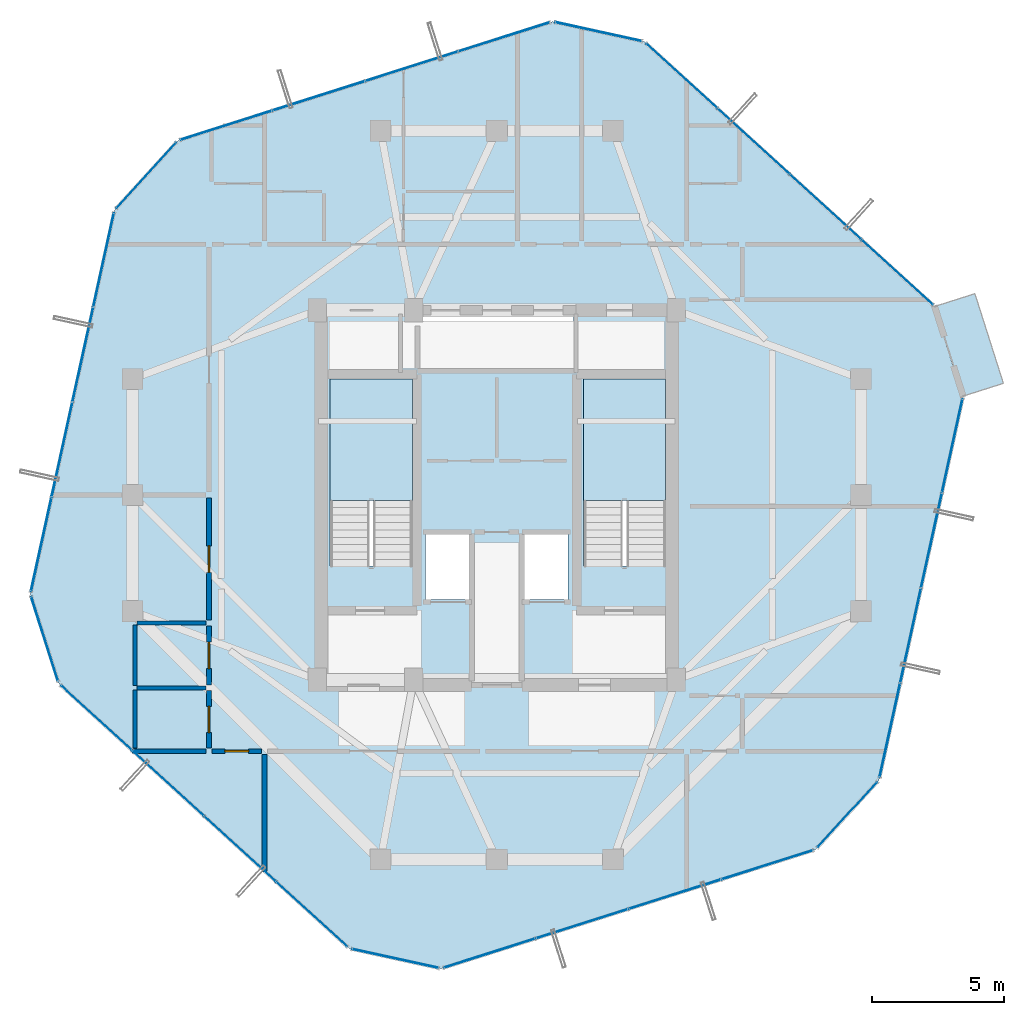
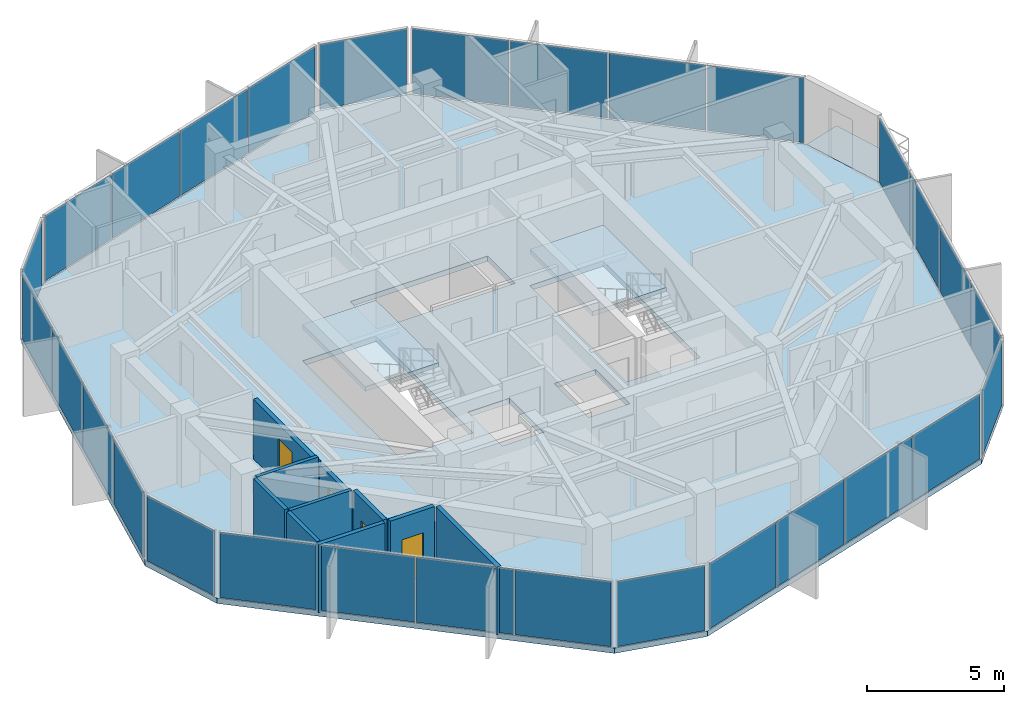
# One storey, part 23 of 28: 29 plates, 10 walls, 4 doors, 4 slabs, 4 openings, 13 elements without a shape of their own.
"""IFC4 building model written with IfcOpenShell, lengths in metres."""

from ifc_helpers import new_model, si_unit, direction, frame, frame_2d, origin, origin_2d, place, context, subcontext, project, spatial, polyline, rectangle, outline, extrude, source, transform, mapped, material, layer, layer_set, type_object, element, fill, aggregate, save


model = new_model("IFC4")

# Units and contexts
model_context = context("Model", 3, precision=1e-05, world=origin(), true_north=direction((0.0, 1.0)))
body_context = subcontext(model_context, "Body", "Model", "MODEL_VIEW")
ifc_project = project(units=[si_unit("LENGTHUNIT", "METRE"), si_unit("AREAUNIT", "SQUARE_METRE"), si_unit("VOLUMEUNIT", "CUBIC_METRE"), si_unit("PLANEANGLEUNIT", "RADIAN"), si_unit("MASSUNIT", "GRAM", prefix="KILO")], contexts=[model_context])

# Site, building, storey
site_placement = place(None, origin())
site = spatial("IfcSite", under=ifc_project, at=site_placement, CompositionType="ELEMENT")
building_placement = place(site_placement, origin())
building = spatial("IfcBuilding", under=site, at=building_placement, Name="Veraguas Prism Commons", CompositionType="ELEMENT")
storey_placement = place(building_placement, frame((0.0, 0.0, 251.25)))
storey = spatial("IfcBuildingStorey", under=building, at=storey_placement, Name="L71", CompositionType="ELEMENT", Elevation=251.25)

# Stair, slab
ifc_material_1 = material(Name="Precast concrete C45/55", Category="concrete")
stair_type = type_object("IfcStairType", Name="Dogleg Core Stair 1480W 20R 05", PredefinedType="HALF_TURN_STAIR", material=ifc_material_1)
stair_1_placement = place(storey_placement, origin())
stair_1 = element("IfcStair", 1, at=stair_1_placement, inside=storey, type_object=stair_type, Name="Protected Exit Stair ST-01 L71", PredefinedType="HALF_TURN_STAIR")
ifc_layer_1 = layer(ifc_material_1, 0.199951171875, Name="Precast Stair and Ramp Landing Slab 200", Category="concrete")
ifc_layer_set_1 = layer_set([ifc_layer_1], Name="Precast concrete C45/55")
slab_type_1 = type_object("IfcSlabType", Name="Precast Stair and Ramp Landing Slab 200", PredefinedType="LANDING", material=ifc_layer_set_1)
slab_1_placement = place(storey_placement, frame((0.0, 0.0, 1.425048828125)))
slab_1 = element("IfcSlab", 2, at=slab_1_placement, type_object=slab_type_1, Name="ST-05 Landing 1", PredefinedType="LANDING", context=body_context, shape_type="SweptSolid", body=[
    extrude(outline(polyline([(20.800048828125, 23.800048828125), (20.800048828125, 28.39990234375), (17.68994140625, 28.39990234375), (17.68994140625, 23.800048828125), (20.800048828125, 23.800048828125)])), origin(), (0.0, 0.0, 1.0), 0.199951171875),
])
aggregate(stair_1, [slab_1])

stair_2_placement = place(storey_placement, origin())
stair_2 = element("IfcStair", 3, at=stair_2_placement, inside=storey, type_object=stair_type, Name="Protected Exit Stair ST-02 L71", PredefinedType="HALF_TURN_STAIR")
slab_2_placement = place(storey_placement, frame((0.0, 0.0, 1.425048828125)))
slab_2 = element("IfcSlab", 4, at=slab_2_placement, type_object=slab_type_1, Name="ST-05 Landing 1", PredefinedType="LANDING", context=body_context, shape_type="SweptSolid", body=[
    extrude(outline(polyline([(30.39990234375, 23.800048828125), (30.39990234375, 28.39990234375), (27.2900390625, 28.39990234375), (27.2900390625, 23.800048828125), (30.39990234375, 23.800048828125)])), origin(), (0.0, 0.0, 1.0), 0.199951171875),
])
aggregate(stair_2, [slab_2])

# Slabs
ifc_material_2 = material(Name="Concrete C45/55", Category="concrete")
ifc_layer_2 = layer(ifc_material_2, 0.219970703125, Name="Recessed Loggia and Terrace Slab RC 220", Category="concrete")
ifc_layer_set_2 = layer_set([ifc_layer_2], Name="Concrete C45/55")
slab_type_2 = type_object("IfcSlabType", Name="Recessed Loggia and Terrace Slab RC 220", PredefinedType="FLOOR", material=ifc_layer_set_2)
slab_3_placement = place(storey_placement, frame((0.0, 0.0, -0.219970703125)))
element("IfcSlab", 5, at=slab_3_placement, inside=storey, type_object=slab_type_2, Name="Recessed Corner Loggia L71-C1", PredefinedType="FLOOR", context=body_context, shape_type="SweptSolid", body=[
    extrude(outline(polyline([(41.647216796875, 27.742431640625), (43.191162109375, 28.2333984375), (42.111572265625, 31.62841796875), (40.567626953125, 31.137451171875), (41.647216796875, 27.742431640625)])), origin(), (0.0, 0.0, 1.0), 0.219970703125),
])
ifc_layer_3 = layer(ifc_material_2, 0.235107421875, Name="Tower Upper Residential Floor Slab RC 235", Category="concrete")
ifc_layer_set_3 = layer_set([ifc_layer_3], Name="Concrete C45/55")
slab_type_3 = type_object("IfcSlabType", Name="Tower Upper Residential Floor Slab RC 235", PredefinedType="FLOOR", material=ifc_layer_set_3)
slab_4_placement = place(storey_placement, frame((0.0, 0.0, -0.235107421875)))
element("IfcSlab", 6, at=slab_4_placement, inside=storey, type_object=slab_type_3, Name="Tower Floor Slab L71", PredefinedType="FLOOR", context=body_context, shape_type="SweptSolid", body=[
    extrude(outline(polyline([(41.666259765625, 27.74853515625), (40.5869140625, 31.1435546875), (29.5869140625, 41.173828125), (26.10693359375, 41.936279296875), (11.92041015625, 37.42529296875), (9.52001953125, 34.792724609375), (6.333740234375, 20.25146484375), (7.4130859375, 16.8564453125), (18.4130859375, 6.826171875), (21.89306640625, 6.063720703125), (36.07958984375, 10.57470703125), (38.47998046875, 13.207275390625), (41.666259765625, 27.74853515625)]), holes=[polyline([(20.800048828125, 21.31005859375), (20.800048828125, 28.39990234375), (17.68994140625, 28.39990234375), (17.68994140625, 21.31005859375), (20.800048828125, 21.31005859375)]), polyline([(30.39990234375, 21.31005859375), (30.39990234375, 28.39990234375), (27.2900390625, 28.39990234375), (27.2900390625, 21.31005859375), (30.39990234375, 21.31005859375)]), polyline([(21.10009765625, 28.800048828125), (26.89990234375, 28.800048828125), (26.89990234375, 30.800048828125), (21.10009765625, 30.800048828125), (21.10009765625, 28.800048828125)]), polyline([(21.300048828125, 20.050048828125), (23.050048828125, 20.050048828125), (23.050048828125, 22.550048828125), (21.300048828125, 22.550048828125), (21.300048828125, 20.050048828125)]), polyline([(24.949951171875, 20.050048828125), (26.699951171875, 20.050048828125), (26.699951171875, 22.550048828125), (24.949951171875, 22.550048828125), (24.949951171875, 20.050048828125)])]), origin(), (0.0, 0.0, 1.0), 0.235107421875),
])

# Curtain wall, plates
ifc_material_3 = material(Name="Anodised aluminium EN AW-6063 T6", Category="aluminium")
ifc_layer_4 = layer(ifc_material_3, 0.14990234375, Name="Unitised Flush Curtain Wall Zone 4", Category="aluminium")
ifc_layer_set_4 = layer_set([ifc_layer_4], Name="Anodised aluminium EN AW-6063 T6")
curtain_wall_type = type_object("IfcCurtainWallType", Name="Unitised Flush Curtain Wall Zone 4", PredefinedType="NOTDEFINED", material=ifc_layer_set_4)
curtain_wall_1_placement = place(storey_placement, origin())
curtain_wall_1 = element("IfcCurtainWall", 7, at=curtain_wall_1_placement, inside=storey, type_object=curtain_wall_type, Name="Tower Facade Curtain Wall L71-F1", PredefinedType="NOTDEFINED")
ifc_material_4 = material(Name="Laminated low-e glass", Category="glass")
ifc_layer_5 = layer(ifc_material_4, 0.028076171875, Name="Unitised Double Low-E Glazed Panel 28", Category="glass")
ifc_layer_set_5 = layer_set([ifc_layer_5], Name="Laminated low-e glass")
plate_type = type_object("IfcPlateType", Name="Unitised Double Low-E Glazed Panel 28", PredefinedType="CURTAIN_PANEL", material=ifc_layer_set_5)
shared_shape_1 = source(origin(), body_context, "Body", "SweptSolid", [
    extrude(rectangle(XDim=3.6015625, YDim=0.028076171875, at=origin_2d()), origin(), (0.0, 0.0, 1.0), 2.905029296875),
])
plate_1_placement = place(storey_placement, frame((39.16748046875, 32.437744140625, 0.05517578125), z_axis=(0.0, 0.0, 1.0), x_axis=(-0.738925912503, 0.673786684219, 0.0)))
plate_1 = element("IfcPlate", 8, at=plate_1_placement, type_object=plate_type, Name="CW-Z4 Panel 1.1", PredefinedType="CURTAIN_PANEL", context=body_context, shape_type="MappedRepresentation", body=[
    mapped(shared_shape_1, transform((0.0, 0.0, 0.0), scale=1.0)),
])
plate_2_placement = place(storey_placement, frame((31.006103515625, 39.879638671875, 0.05517578125), z_axis=(0.0, 0.0, 1.0), x_axis=(-0.738925912503, 0.673786684219, 0.0)))
plate_2 = element("IfcPlate", 9, at=plate_2_placement, type_object=plate_type, Name="CW-Z4 Panel 4.1", PredefinedType="CURTAIN_PANEL", context=body_context, shape_type="MappedRepresentation", body=[
    mapped(shared_shape_1, transform((0.0, 0.0, 0.0), scale=1.0)),
])

curtain_wall_2_placement = place(storey_placement, origin())
curtain_wall_2 = element("IfcCurtainWall", 10, at=curtain_wall_2_placement, inside=storey, type_object=curtain_wall_type, Name="Tower Facade Curtain Wall L71-F2", PredefinedType="NOTDEFINED")
plate_3_placement = place(storey_placement, frame((24.2763671875, 41.354248046875, 0.05517578125), z_axis=(0.0, 0.0, 1.0), x_axis=(-0.952979870412, -0.30303360637, 0.0)))
plate_3 = element("IfcPlate", 11, at=plate_3_placement, type_object=plate_type, Name="CW-Z4 Panel 1.1", PredefinedType="CURTAIN_PANEL", context=body_context, shape_type="MappedRepresentation", body=[
    mapped(shared_shape_1, transform((0.0, 0.0, 0.0), scale=1.0)),
])
plate_4_placement = place(storey_placement, frame((13.7509765625, 38.00732421875, 0.05517578125), z_axis=(0.0, 0.0, 1.0), x_axis=(-0.952979870412, -0.30303360637, 0.0)))
plate_4 = element("IfcPlate", 12, at=plate_4_placement, type_object=plate_type, Name="CW-Z4 Panel 4.1", PredefinedType="CURTAIN_PANEL", context=body_context, shape_type="MappedRepresentation", body=[
    mapped(shared_shape_1, transform((0.0, 0.0, 0.0), scale=1.0)),
])

curtain_wall_3_placement = place(storey_placement, origin())
curtain_wall_3 = element("IfcCurtainWall", 13, at=curtain_wall_3_placement, inside=storey, type_object=curtain_wall_type, Name="Tower Facade Curtain Wall L71-F3", PredefinedType="NOTDEFINED")
plate_5_placement = place(storey_placement, frame((9.10888671875, 32.91650390625, 0.05517578125), z_axis=(0.0, 0.0, 1.0), x_axis=(-0.214053429014, -0.976821953852, 0.0)))
plate_5 = element("IfcPlate", 14, at=plate_5_placement, type_object=plate_type, Name="CW-Z4 Panel 1.1", PredefinedType="CURTAIN_PANEL", context=body_context, shape_type="MappedRepresentation", body=[
    mapped(shared_shape_1, transform((0.0, 0.0, 0.0), scale=1.0)),
])
plate_6_placement = place(storey_placement, frame((6.744873046875, 22.127685546875, 0.05517578125), z_axis=(0.0, 0.0, 1.0), x_axis=(-0.214053429014, -0.976821953852, 0.0)))
plate_6 = element("IfcPlate", 15, at=plate_6_placement, type_object=plate_type, Name="CW-Z4 Panel 4.1", PredefinedType="CURTAIN_PANEL", context=body_context, shape_type="MappedRepresentation", body=[
    mapped(shared_shape_1, transform((0.0, 0.0, 0.0), scale=1.0)),
])

curtain_wall_4_placement = place(storey_placement, origin())
curtain_wall_4 = element("IfcCurtainWall", 16, at=curtain_wall_4_placement, inside=storey, type_object=curtain_wall_type, Name="Tower Facade Curtain Wall L71-F4", PredefinedType="NOTDEFINED")
plate_7_placement = place(storey_placement, frame((8.83251953125, 15.562255859375, 0.05517578125), z_axis=(0.0, 0.0, 1.0), x_axis=(0.738925912503, -0.673786684219, 0.0)))
plate_7 = element("IfcPlate", 17, at=plate_7_placement, type_object=plate_type, Name="CW-Z4 Panel 1.1", PredefinedType="CURTAIN_PANEL", context=body_context, shape_type="MappedRepresentation", body=[
    mapped(shared_shape_1, transform((0.0, 0.0, 0.0), scale=1.0)),
])
plate_8_placement = place(storey_placement, frame((16.993896484375, 8.120361328125, 0.05517578125), z_axis=(0.0, 0.0, 1.0), x_axis=(0.738925912503, -0.673786684219, 0.0)))
plate_8 = element("IfcPlate", 18, at=plate_8_placement, type_object=plate_type, Name="CW-Z4 Panel 4.1", PredefinedType="CURTAIN_PANEL", context=body_context, shape_type="MappedRepresentation", body=[
    mapped(shared_shape_1, transform((0.0, 0.0, 0.0), scale=1.0)),
])

curtain_wall_5_placement = place(storey_placement, origin())
curtain_wall_5 = element("IfcCurtainWall", 19, at=curtain_wall_5_placement, inside=storey, type_object=curtain_wall_type, Name="Tower Facade Curtain Wall L71-F5", PredefinedType="NOTDEFINED")
plate_9_placement = place(storey_placement, frame((23.7236328125, 6.645751953125, 0.05517578125), z_axis=(0.0, 0.0, 1.0), x_axis=(0.952979870412, 0.30303360637, 0.0)))
plate_9 = element("IfcPlate", 20, at=plate_9_placement, type_object=plate_type, Name="CW-Z4 Panel 1.1", PredefinedType="CURTAIN_PANEL", context=body_context, shape_type="MappedRepresentation", body=[
    mapped(shared_shape_1, transform((0.0, 0.0, 0.0), scale=1.0)),
])
plate_10_placement = place(storey_placement, frame((34.2490234375, 9.99267578125, 0.05517578125), z_axis=(0.0, 0.0, 1.0), x_axis=(0.952979870412, 0.30303360637, 0.0)))
plate_10 = element("IfcPlate", 21, at=plate_10_placement, type_object=plate_type, Name="CW-Z4 Panel 4.1", PredefinedType="CURTAIN_PANEL", context=body_context, shape_type="MappedRepresentation", body=[
    mapped(shared_shape_1, transform((0.0, 0.0, 0.0), scale=1.0)),
])

curtain_wall_6_placement = place(storey_placement, origin())
curtain_wall_6 = element("IfcCurtainWall", 22, at=curtain_wall_6_placement, inside=storey, type_object=curtain_wall_type, Name="Tower Facade Curtain Wall L71-F6", PredefinedType="NOTDEFINED")
plate_11_placement = place(storey_placement, frame((38.89111328125, 15.08349609375, 0.05517578125), z_axis=(0.0, 0.0, 1.0), x_axis=(0.214053429014, 0.976821953852, 0.0)))
plate_11 = element("IfcPlate", 23, at=plate_11_placement, type_object=plate_type, Name="CW-Z4 Panel 1.1", PredefinedType="CURTAIN_PANEL", context=body_context, shape_type="MappedRepresentation", body=[
    mapped(shared_shape_1, transform((0.0, 0.0, 0.0), scale=1.0)),
])
plate_12_placement = place(storey_placement, frame((41.255126953125, 25.872314453125, 0.05517578125), z_axis=(0.0, 0.0, 1.0), x_axis=(0.214053429014, 0.976821953852, 0.0)))
plate_12 = element("IfcPlate", 24, at=plate_12_placement, type_object=plate_type, Name="CW-Z4 Panel 4.1", PredefinedType="CURTAIN_PANEL", context=body_context, shape_type="MappedRepresentation", body=[
    mapped(shared_shape_1, transform((0.0, 0.0, 0.0), scale=1.0)),
])

# Plate
shared_shape_2 = source(origin(), body_context, "Body", "SweptSolid", [
    extrude(rectangle(XDim=3.631591796875, YDim=0.028076171875, at=origin_2d()), origin(), (0.0, 0.0, 1.0), 2.905029296875),
])
plate_13_placement = place(storey_placement, frame((36.45068359375, 34.9150390625, 0.05517578125), z_axis=(0.0, 0.0, 1.0), x_axis=(-0.738925912503, 0.673786684219, 0.0)))
plate_13 = element("IfcPlate", 25, at=plate_13_placement, type_object=plate_type, Name="CW-Z4 Panel 2.1", PredefinedType="CURTAIN_PANEL", context=body_context, shape_type="MappedRepresentation", body=[
    mapped(shared_shape_2, transform((0.0, 0.0, 0.0), scale=1.0)),
])

plate_14_placement = place(storey_placement, frame((33.722900390625, 37.40234375, 0.05517578125), z_axis=(0.0, 0.0, 1.0), x_axis=(-0.738925912503, 0.673786684219, 0.0)))
plate_14 = element("IfcPlate", 26, at=plate_14_placement, type_object=plate_type, Name="CW-Z4 Panel 3.1", PredefinedType="CURTAIN_PANEL", context=body_context, shape_type="MappedRepresentation", body=[
    mapped(shared_shape_2, transform((0.0, 0.0, 0.0), scale=1.0)),
])

aggregate(curtain_wall_1, [plate_1, plate_13, plate_14, plate_2])

plate_15_placement = place(storey_placement, frame((20.772705078125, 40.239990234375, 0.05517578125), z_axis=(0.0, 0.0, 1.0), x_axis=(-0.952979870412, -0.30303360637, 0.0)))
plate_15 = element("IfcPlate", 27, at=plate_15_placement, type_object=plate_type, Name="CW-Z4 Panel 2.1", PredefinedType="CURTAIN_PANEL", context=body_context, shape_type="MappedRepresentation", body=[
    mapped(shared_shape_2, transform((0.0, 0.0, 0.0), scale=1.0)),
])

plate_16_placement = place(storey_placement, frame((17.254638671875, 39.121337890625, 0.05517578125), z_axis=(0.0, 0.0, 1.0), x_axis=(-0.952979870412, -0.30303360637, 0.0)))
plate_16 = element("IfcPlate", 28, at=plate_16_placement, type_object=plate_type, Name="CW-Z4 Panel 3.1", PredefinedType="CURTAIN_PANEL", context=body_context, shape_type="MappedRepresentation", body=[
    mapped(shared_shape_2, transform((0.0, 0.0, 0.0), scale=1.0)),
])

aggregate(curtain_wall_2, [plate_3, plate_15, plate_16, plate_4])

plate_17_placement = place(storey_placement, frame((8.322021484375, 29.3251953125, 0.05517578125), z_axis=(0.0, 0.0, 1.0), x_axis=(-0.214053429014, -0.976821953852, 0.0)))
plate_17 = element("IfcPlate", 29, at=plate_17_placement, type_object=plate_type, Name="CW-Z4 Panel 2.1", PredefinedType="CURTAIN_PANEL", context=body_context, shape_type="MappedRepresentation", body=[
    mapped(shared_shape_2, transform((0.0, 0.0, 0.0), scale=1.0)),
])

plate_18_placement = place(storey_placement, frame((7.53173828125, 25.71923828125, 0.05517578125), z_axis=(0.0, 0.0, 1.0), x_axis=(-0.214053429014, -0.976821953852, 0.0)))
plate_18 = element("IfcPlate", 30, at=plate_18_placement, type_object=plate_type, Name="CW-Z4 Panel 3.1", PredefinedType="CURTAIN_PANEL", context=body_context, shape_type="MappedRepresentation", body=[
    mapped(shared_shape_2, transform((0.0, 0.0, 0.0), scale=1.0)),
])

aggregate(curtain_wall_3, [plate_5, plate_17, plate_18, plate_6])

plate_19_placement = place(storey_placement, frame((11.54931640625, 13.0849609375, 0.05517578125), z_axis=(0.0, 0.0, 1.0), x_axis=(0.738925912503, -0.673786684219, 0.0)))
plate_19 = element("IfcPlate", 31, at=plate_19_placement, type_object=plate_type, Name="CW-Z4 Panel 2.1", PredefinedType="CURTAIN_PANEL", context=body_context, shape_type="MappedRepresentation", body=[
    mapped(shared_shape_2, transform((0.0, 0.0, 0.0), scale=1.0)),
])

plate_20_placement = place(storey_placement, frame((14.277099609375, 10.59765625, 0.05517578125), z_axis=(0.0, 0.0, 1.0), x_axis=(0.738925912503, -0.673786684219, 0.0)))
plate_20 = element("IfcPlate", 32, at=plate_20_placement, type_object=plate_type, Name="CW-Z4 Panel 3.1", PredefinedType="CURTAIN_PANEL", context=body_context, shape_type="MappedRepresentation", body=[
    mapped(shared_shape_2, transform((0.0, 0.0, 0.0), scale=1.0)),
])

aggregate(curtain_wall_4, [plate_7, plate_19, plate_20, plate_8])

plate_21_placement = place(storey_placement, frame((27.227294921875, 7.760009765625, 0.05517578125), z_axis=(0.0, 0.0, 1.0), x_axis=(0.952979870412, 0.30303360637, 0.0)))
plate_21 = element("IfcPlate", 33, at=plate_21_placement, type_object=plate_type, Name="CW-Z4 Panel 2.1", PredefinedType="CURTAIN_PANEL", context=body_context, shape_type="MappedRepresentation", body=[
    mapped(shared_shape_2, transform((0.0, 0.0, 0.0), scale=1.0)),
])

plate_22_placement = place(storey_placement, frame((30.745361328125, 8.878662109375, 0.05517578125), z_axis=(0.0, 0.0, 1.0), x_axis=(0.952979870412, 0.30303360637, 0.0)))
plate_22 = element("IfcPlate", 34, at=plate_22_placement, type_object=plate_type, Name="CW-Z4 Panel 3.1", PredefinedType="CURTAIN_PANEL", context=body_context, shape_type="MappedRepresentation", body=[
    mapped(shared_shape_2, transform((0.0, 0.0, 0.0), scale=1.0)),
])

aggregate(curtain_wall_5, [plate_9, plate_21, plate_22, plate_10])

plate_23_placement = place(storey_placement, frame((39.677978515625, 18.6748046875, 0.05517578125), z_axis=(0.0, 0.0, 1.0), x_axis=(0.214053429014, 0.976821953852, 0.0)))
plate_23 = element("IfcPlate", 35, at=plate_23_placement, type_object=plate_type, Name="CW-Z4 Panel 2.1", PredefinedType="CURTAIN_PANEL", context=body_context, shape_type="MappedRepresentation", body=[
    mapped(shared_shape_2, transform((0.0, 0.0, 0.0), scale=1.0)),
])

plate_24_placement = place(storey_placement, frame((40.46826171875, 22.28076171875, 0.05517578125), z_axis=(0.0, 0.0, 1.0), x_axis=(0.214053429014, 0.976821953852, 0.0)))
plate_24 = element("IfcPlate", 36, at=plate_24_placement, type_object=plate_type, Name="CW-Z4 Panel 3.1", PredefinedType="CURTAIN_PANEL", context=body_context, shape_type="MappedRepresentation", body=[
    mapped(shared_shape_2, transform((0.0, 0.0, 0.0), scale=1.0)),
])

aggregate(curtain_wall_6, [plate_11, plate_23, plate_24, plate_12])

# Curtain wall, plate
curtain_wall_7_placement = place(storey_placement, origin())
curtain_wall_7 = element("IfcCurtainWall", 37, at=curtain_wall_7_placement, inside=storey, type_object=curtain_wall_type, Name="Chamfer Curtain Wall L71-C2", PredefinedType="NOTDEFINED")
shared_shape_3 = source(origin(), body_context, "Body", "SweptSolid", [
    extrude(rectangle(XDim=3.322509765625, YDim=0.028076171875, at=origin_2d()), origin(), (0.0, 0.0, 1.0), 2.905029296875),
])
plate_25_placement = place(storey_placement, frame((27.846923828125, 41.554931640625, 0.05517578125), z_axis=(0.0, 0.0, 1.0), x_axis=(-0.976820459453, 0.214060248512, 0.0)))
plate_25 = element("IfcPlate", 38, at=plate_25_placement, type_object=plate_type, Name="CW-Z4 Panel 1.1", PredefinedType="CURTAIN_PANEL", context=body_context, shape_type="MappedRepresentation", body=[
    mapped(shared_shape_3, transform((0.0, 0.0, 0.0), scale=1.0)),
])
aggregate(curtain_wall_7, [plate_25])

curtain_wall_8_placement = place(storey_placement, origin())
curtain_wall_8 = element("IfcCurtainWall", 39, at=curtain_wall_8_placement, inside=storey, type_object=curtain_wall_type, Name="Chamfer Curtain Wall L71-C3", PredefinedType="NOTDEFINED")
plate_26_placement = place(storey_placement, frame((10.72021484375, 36.10888671875, 0.05517578125), z_axis=(0.0, 0.0, 1.0), x_axis=(-0.673794422196, -0.738918856585, 0.0)))
plate_26 = element("IfcPlate", 40, at=plate_26_placement, type_object=plate_type, Name="CW-Z4 Panel 1.1", PredefinedType="CURTAIN_PANEL", context=body_context, shape_type="MappedRepresentation", body=[
    mapped(shared_shape_3, transform((0.0, 0.0, 0.0), scale=1.0)),
])
aggregate(curtain_wall_8, [plate_26])

curtain_wall_9_placement = place(storey_placement, origin())
curtain_wall_9 = element("IfcCurtainWall", 41, at=curtain_wall_9_placement, inside=storey, type_object=curtain_wall_type, Name="Chamfer Curtain Wall L71-C4", PredefinedType="NOTDEFINED")
plate_27_placement = place(storey_placement, frame((6.87353515625, 18.553955078125, 0.05517578125), z_axis=(0.0, 0.0, 1.0), x_axis=(0.303011983864, -0.952986745781, 0.0)))
plate_27 = element("IfcPlate", 42, at=plate_27_placement, type_object=plate_type, Name="CW-Z4 Panel 1.1", PredefinedType="CURTAIN_PANEL", context=body_context, shape_type="MappedRepresentation", body=[
    mapped(shared_shape_3, transform((0.0, 0.0, 0.0), scale=1.0)),
])
aggregate(curtain_wall_9, [plate_27])

curtain_wall_10_placement = place(storey_placement, origin())
curtain_wall_10 = element("IfcCurtainWall", 43, at=curtain_wall_10_placement, inside=storey, type_object=curtain_wall_type, Name="Chamfer Curtain Wall L71-C5", PredefinedType="NOTDEFINED")
plate_28_placement = place(storey_placement, frame((20.153076171875, 6.445068359375, 0.05517578125), z_axis=(0.0, 0.0, 1.0), x_axis=(0.976820459453, -0.214060248512, 0.0)))
plate_28 = element("IfcPlate", 44, at=plate_28_placement, type_object=plate_type, Name="CW-Z4 Panel 1.1", PredefinedType="CURTAIN_PANEL", context=body_context, shape_type="MappedRepresentation", body=[
    mapped(shared_shape_3, transform((0.0, 0.0, 0.0), scale=1.0)),
])
aggregate(curtain_wall_10, [plate_28])

curtain_wall_11_placement = place(storey_placement, origin())
curtain_wall_11 = element("IfcCurtainWall", 45, at=curtain_wall_11_placement, inside=storey, type_object=curtain_wall_type, Name="Chamfer Curtain Wall L71-C6", PredefinedType="NOTDEFINED")
plate_29_placement = place(storey_placement, frame((37.27978515625, 11.89111328125, 0.05517578125), z_axis=(0.0, 0.0, 1.0), x_axis=(0.673794422196, 0.738918856585, 0.0)))
plate_29 = element("IfcPlate", 46, at=plate_29_placement, type_object=plate_type, Name="CW-Z4 Panel 1.1", PredefinedType="CURTAIN_PANEL", context=body_context, shape_type="MappedRepresentation", body=[
    mapped(shared_shape_3, transform((0.0, 0.0, 0.0), scale=1.0)),
])
aggregate(curtain_wall_11, [plate_29])

# Walls
ifc_material_5 = material(Name="Autoclaved aerated masonry block 10 MPa", Category="masonry")
ifc_layer_6 = layer(ifc_material_5, 0.179931640625, Name="Corridor and Inter-Tenancy Partition 180", Category="masonry")
ifc_layer_set_6 = layer_set([ifc_layer_6], Name="Autoclaved aerated masonry block 10 MPa")
wall_type_1 = type_object("IfcWallType", Name="Corridor and Inter-Tenancy Partition 180", PredefinedType="PARTITIONING", material=ifc_layer_set_6)
wall_1_placement = place(storey_placement, frame((15.199951171875, 14.179931640625, 0.0), z_axis=(0.0, 0.0, 1.0), x_axis=(0.0, -1.0, 0.0)))
element("IfcWall", 47, at=wall_1_placement, inside=storey, type_object=wall_type_1, Name="WL-L71-PT001", PredefinedType="PARTITIONING", context=body_context, shape_type="SweptSolid", body=[
    extrude(rectangle(XDim=4.46435546875, YDim=0.179931640625, at=frame_2d((2.232177734375, 0.0))), origin(), (0.0, 0.0, 1.0), 3.014892578125),
])
wall_2_placement = place(storey_placement, frame((12.97998046875, 14.300048828125, 0.0), z_axis=(0.0, 0.0, 1.0), x_axis=(-1.0, 0.0, 0.0)))
element("IfcWall", 48, at=wall_2_placement, inside=storey, type_object=wall_type_1, Name="WL-L71-PT017", PredefinedType="PARTITIONING", context=body_context, shape_type="SweptSolid", body=[
    extrude(rectangle(XDim=2.8076171875, YDim=0.179931640625, at=frame_2d((1.40380859375, 0.0))), origin(), (0.0, 0.0, 1.0), 3.014892578125),
])

# Wall, opening, door
wall_3_placement = place(storey_placement, frame((13.10009765625, 14.409912109375, 0.0), z_axis=(0.0, 0.0, 1.0), x_axis=(0.0, 1.0, 0.0)))
wall_3 = element("IfcWall", 49, at=wall_3_placement, inside=storey, type_object=wall_type_1, Name="WL-L71-PT019", PredefinedType="PARTITIONING", context=body_context, shape_type="SweptSolid", body=[
    extrude(rectangle(XDim=2.18017578125, YDim=0.179931640625, at=frame_2d((1.090087890625, 0.0))), origin(), (0.0, 0.0, 1.0), 3.014892578125),
])
opening_1_placement = place(wall_3_placement, frame((0.590087890625, 0.0, 0.0)))
opening_1 = element("IfcOpeningElement", 50, at=opening_1_placement, cuts=wall_3, Name="Opening DR-13", PredefinedType="OPENING", context=body_context, shape_type="SweptSolid", body=[
    extrude(rectangle(XDim=1.0, YDim=2.010009765625, at=frame_2d((0.5, 1.0048828125))), frame((0.0, 0.099853515625, 0.0), z_axis=(0.0, -1.0, 0.0), x_axis=(1.0, 0.0, 0.0)), (0.0, 0.0, 1.0), 0.199951171875),
])
ifc_material_6 = material(Name="Steel fire-rated door assembly", Category="steel")
door_type_1 = type_object("IfcDoorType", Name="Core Accessible WC and Clinic Fire Door 1000x2010", OperationType="NOTDEFINED", PredefinedType="DOOR", material=ifc_material_6)
shared_shape_4 = source(origin(), body_context, "Body", "SweptSolid", [
    extrude(rectangle(XDim=1.0, YDim=2.010009765625, at=frame_2d((0.5, 1.0048828125))), frame((0.0, 0.02490234375, 0.0), z_axis=(0.0, -1.0, 0.0), x_axis=(1.0, 0.0, 0.0)), (0.0, 0.0, 1.0), 0.050048828125),
])
door_1_placement = place(opening_1_placement, origin())
door_1 = element("IfcDoor", 51, at=door_1_placement, inside=storey, type_object=door_type_1, Name="Public WC L71 Door", OperationType="SINGLE_SWING_LEFT", OverallHeight=2.010009765625, OverallWidth=1.0, PredefinedType="DOOR", context=body_context, shape_type="MappedRepresentation", body=[
    mapped(shared_shape_4, transform((0.0, 0.0, 0.0), scale=1.0)),
])
fill(opening_1, door_1)

wall_4_placement = place(storey_placement, frame((13.10009765625, 16.81005859375, 0.0), z_axis=(0.0, 0.0, 1.0), x_axis=(0.0, 1.0, 0.0)))
wall_4 = element("IfcWall", 52, at=wall_4_placement, inside=storey, type_object=wall_type_1, Name="WL-L71-PT020", PredefinedType="PARTITIONING", context=body_context, shape_type="SweptSolid", body=[
    extrude(rectangle(XDim=2.22998046875, YDim=0.179931640625, at=frame_2d((1.114990234375, 0.0))), origin(), (0.0, 0.0, 1.0), 2.662109375),
])
opening_2_placement = place(wall_4_placement, frame((0.614990234375, 0.0, 0.0)))
opening_2 = element("IfcOpeningElement", 53, at=opening_2_placement, cuts=wall_4, Name="Opening DR-13", PredefinedType="OPENING", context=body_context, shape_type="SweptSolid", body=[
    extrude(rectangle(XDim=1.0, YDim=2.010009765625, at=frame_2d((0.5, 1.0048828125))), frame((0.0, 0.099853515625, 0.0), z_axis=(0.0, -1.0, 0.0), x_axis=(1.0, 0.0, 0.0)), (0.0, 0.0, 1.0), 0.199951171875),
])
door_2_placement = place(opening_2_placement, origin())
door_2 = element("IfcDoor", 54, at=door_2_placement, inside=storey, type_object=door_type_1, Name="Accessible WC L71 Door", OperationType="SINGLE_SWING_RIGHT", OverallHeight=2.010009765625, OverallWidth=1.0, PredefinedType="DOOR", context=body_context, shape_type="MappedRepresentation", body=[
    mapped(shared_shape_4, transform((0.0, 0.0, 0.0), scale=1.0)),
])
fill(opening_2, door_2)

wall_5_placement = place(storey_placement, frame((13.10009765625, 19.260009765625, 0.0), z_axis=(0.0, 0.0, 1.0), x_axis=(0.0, 1.0, 0.0)))
wall_5 = element("IfcWall", 55, at=wall_5_placement, inside=storey, type_object=wall_type_1, Name="WL-L71-PT021", PredefinedType="PARTITIONING", context=body_context, shape_type="SweptSolid", body=[
    extrude(rectangle(XDim=4.6298828125, YDim=0.179931640625, at=frame_2d((2.31494140625, 0.0))), origin(), (0.0, 0.0, 1.0), 2.662109375),
])
opening_3_placement = place(wall_5_placement, frame((1.81494140625, 0.0, 0.0)))
opening_3 = element("IfcOpeningElement", 56, at=opening_3_placement, cuts=wall_5, Name="Opening DR-13", PredefinedType="OPENING", context=body_context, shape_type="SweptSolid", body=[
    extrude(rectangle(XDim=1.0, YDim=2.010009765625, at=frame_2d((0.5, 1.0048828125))), frame((0.0, 0.099853515625, 0.0), z_axis=(0.0, -1.0, 0.0), x_axis=(1.0, 0.0, 0.0)), (0.0, 0.0, 1.0), 0.199951171875),
])
door_3_placement = place(opening_3_placement, origin())
door_3 = element("IfcDoor", 57, at=door_3_placement, inside=storey, type_object=door_type_1, Name="Quiet Study L71 Door", OperationType="SINGLE_SWING_LEFT", OverallHeight=2.010009765625, OverallWidth=1.0, PredefinedType="DOOR", context=body_context, shape_type="MappedRepresentation", body=[
    mapped(shared_shape_4, transform((0.0, 0.0, 0.0), scale=1.0)),
])
fill(opening_3, door_3)

wall_6_placement = place(storey_placement, frame((13.219970703125, 14.300048828125, 0.0), z_axis=(0.0, 0.0, 1.0), x_axis=(1.0, 0.0, 0.0)))
wall_6 = element("IfcWall", 58, at=wall_6_placement, inside=storey, type_object=wall_type_1, Name="WL-L71-PT035", PredefinedType="PARTITIONING", context=body_context, shape_type="SweptSolid", body=[
    extrude(rectangle(XDim=1.860107421875, YDim=0.179931640625, at=frame_2d((0.93017578125, 0.0))), origin(), (0.0, 0.0, 1.0), 3.014892578125),
])
opening_4_placement = place(wall_6_placement, frame((0.47998046875, 0.0, 0.0)))
opening_4 = element("IfcOpeningElement", 59, at=opening_4_placement, cuts=wall_6, Name="Opening DR-14", PredefinedType="OPENING", context=body_context, shape_type="SweptSolid", body=[
    extrude(rectangle(XDim=0.89990234375, YDim=2.010009765625, at=frame_2d((0.449951171875, 1.0048828125))), frame((0.0, 0.099853515625, 0.0), z_axis=(0.0, -1.0, 0.0), x_axis=(1.0, 0.0, 0.0)), (0.0, 0.0, 1.0), 0.199951171875),
])
door_type_2 = type_object("IfcDoorType", Name="Core Service Room Fire Door 900x2010", OperationType="NOTDEFINED", PredefinedType="DOOR", material=ifc_material_6)
shared_shape_5 = source(origin(), body_context, "Body", "SweptSolid", [
    extrude(rectangle(XDim=0.89990234375, YDim=2.010009765625, at=frame_2d((0.449951171875, 1.0048828125))), frame((0.0, 0.02490234375, 0.0), z_axis=(0.0, -1.0, 0.0), x_axis=(1.0, 0.0, 0.0)), (0.0, 0.0, 1.0), 0.050048828125),
])
door_4_placement = place(opening_4_placement, origin())
door_4 = element("IfcDoor", 60, at=door_4_placement, inside=storey, type_object=door_type_2, Name="Residents Cycle and Pram Store SW Door", OperationType="SINGLE_SWING_LEFT", OverallHeight=2.010009765625, OverallWidth=0.89990234375, PredefinedType="DOOR", context=body_context, shape_type="MappedRepresentation", body=[
    mapped(shared_shape_5, transform((0.0, 0.0, 0.0), scale=1.0)),
])
fill(opening_4, door_4)

# Walls
ifc_material_7 = material(Name="Lightweight acoustic gypsum board")
ifc_layer_7 = layer(ifc_material_7, 0.14990234375, Name="Wet Room and Clinic Acoustic Partition 150")
ifc_layer_set_7 = layer_set([ifc_layer_7], Name="Lightweight acoustic gypsum board")
wall_type_2 = type_object("IfcWallType", Name="Wet Room and Clinic Acoustic Partition 150", PredefinedType="PARTITIONING", material=ifc_layer_set_7)
for number, where, z_axis, x_axis, name in (
    (61, (12.97998046875, 16.699951171875, 0.0), (0.0, 0.0, 1.0), (-1.0, 0.0, 0.0), "WL-L71-PT023"),
    (62, (12.97998046875, 19.14990234375, 0.0), (0.0, 0.0, 1.0), (-1.0, 0.0, 0.0), "WL-L71-PT024"),
):
    element("IfcWall", number, at=place(storey_placement, frame(where, z_axis=z_axis, x_axis=x_axis)), inside=storey, type_object=wall_type_2, Name=name, PredefinedType="PARTITIONING", context=body_context, shape_type="SweptSolid", body=[
        extrude(rectangle(XDim=2.60009765625, YDim=0.14990234375, at=frame_2d((1.300048828125, 0.0))), origin(), (0.0, 0.0, 1.0), 3.014892578125),
    ])
wall_7_placement = place(storey_placement, frame((10.300048828125, 14.419921875, 0.0), z_axis=(0.0, 0.0, 1.0), x_axis=(0.0, 1.0, 0.0)))
element("IfcWall", 63, at=wall_7_placement, inside=storey, type_object=wall_type_2, Name="WL-L71-PT025", PredefinedType="PARTITIONING", context=body_context, shape_type="SweptSolid", body=[
    extrude(rectangle(XDim=2.2001953125, YDim=0.14990234375, at=frame_2d((1.10009765625, 0.0))), origin(), (0.0, 0.0, 1.0), 3.014892578125),
])
wall_8_placement = place(storey_placement, frame((10.300048828125, 16.780029296875, 0.0), z_axis=(0.0, 0.0, 1.0), x_axis=(0.0, 1.0, 0.0)))
element("IfcWall", 64, at=wall_8_placement, inside=storey, type_object=wall_type_2, Name="WL-L71-PT026", PredefinedType="PARTITIONING", context=body_context, shape_type="SweptSolid", body=[
    extrude(rectangle(XDim=2.2900390625, YDim=0.14990234375, at=frame_2d((1.14501953125, 0.0))), origin(), (0.0, 0.0, 1.0), 3.014892578125),
])

save(model, "model.ifc")
